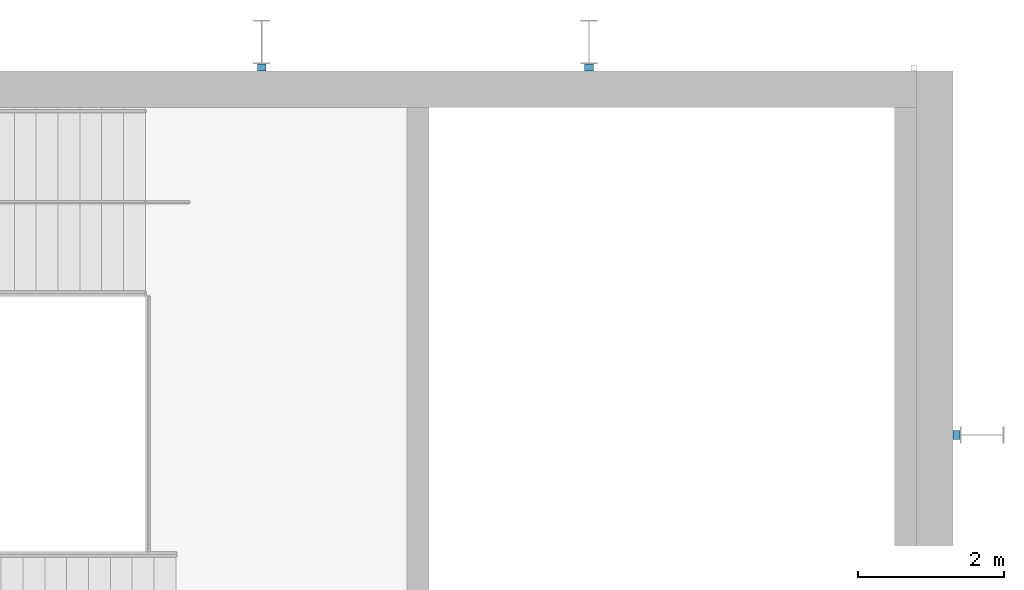
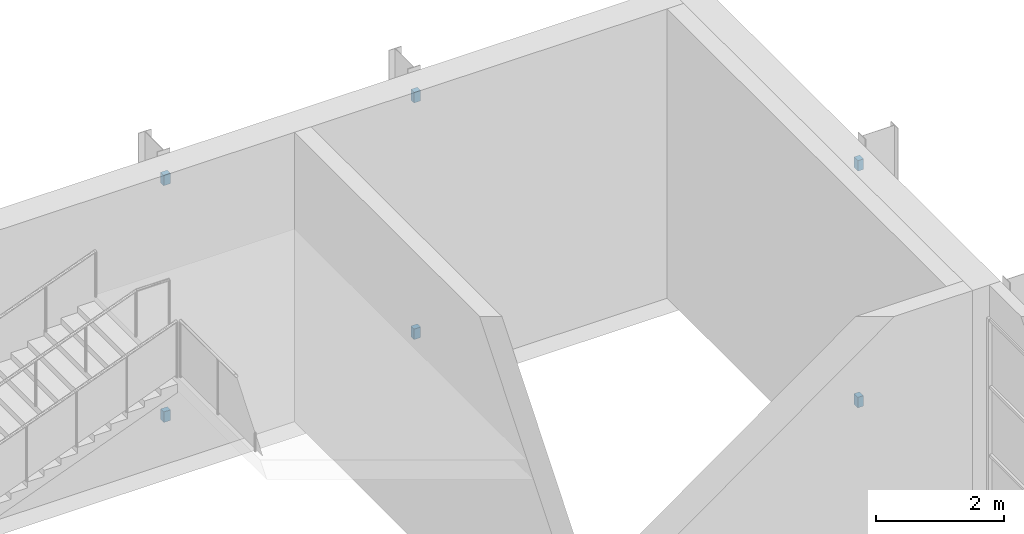
# One storey, part 59 of 84: 6 discrete accessories.
"""IFC4 building model written with IfcOpenShell, lengths in metres."""

from ifc_helpers import new_model, si_unit, direction, frame, origin, origin_2d, place, context, subcontext, project, spatial, rectangle, extrude, material, type_object, element, save


model = new_model("IFC4")

# Units and contexts
model_context = context("Model", 3, precision=1e-05, world=origin(), true_north=direction((0.0, 1.0)))
body_context = subcontext(model_context, "Body", "Model", "MODEL_VIEW")
ifc_project = project(units=[si_unit("LENGTHUNIT", "METRE"), si_unit("AREAUNIT", "SQUARE_METRE"), si_unit("VOLUMEUNIT", "CUBIC_METRE"), si_unit("PLANEANGLEUNIT", "RADIAN"), si_unit("MASSUNIT", "GRAM", prefix="KILO")], contexts=[model_context])

# Site, building, storey
site_placement = place(None, origin())
site = spatial("IfcSite", under=ifc_project, at=site_placement, CompositionType="ELEMENT")
building_placement = place(site_placement, origin())
building = spatial("IfcBuilding", under=site, at=building_placement, Name="Silverbay Arena", CompositionType="ELEMENT")
storey_placement = place(building_placement, frame((0.0, 0.0, 28.0)))
storey = spatial("IfcBuildingStorey", under=building, at=storey_placement, Name="L04", CompositionType="ELEMENT", Elevation=28.0)

# Discrete accessories
ifc_material = material(Name="Steel S355", Category="steel")
discrete_accessory_type = type_object("IfcDiscreteAccessoryType", Name="Steel bracket plate", PredefinedType="BRACKET", material=ifc_material)
for number, where, z_axis, x_axis, name in (
    (1, (207.550048828125, 139.5, 0.39990234375), (0.0, 0.0, 1.0), (1.0, 0.0, 0.0), "Fin bracket"),
    (2, (207.550048828125, 139.5, 4.89990234375), (0.0, 0.0, 1.0), (1.0, 0.0, 0.0), "Fin bracket"),
):
    element("IfcDiscreteAccessory", number, at=place(storey_placement, frame(where, z_axis=z_axis, x_axis=x_axis)), inside=storey, type_object=discrete_accessory_type, Name=name, PredefinedType="BRACKET", context=body_context, shape_type="SweptSolid", body=[
        extrude(rectangle(XDim=0.10009765625, YDim=0.1201171875, at=origin_2d()), origin(), (0.0, 0.0, 1.0), 0.199951171875),
    ])
for number, where, z_axis, x_axis, name in (
    (3, (198.0, 144.550048828125, 0.39990234375), (0.0, 0.0, 1.0), (1.0, 0.0, 0.0), "Fin bracket"),
    (4, (198.0, 144.550048828125, 4.89990234375), (0.0, 0.0, 1.0), (1.0, 0.0, 0.0), "Fin bracket"),
    (5, (202.5, 144.550048828125, 0.39990234375), (0.0, 0.0, 1.0), (1.0, 0.0, 0.0), "Fin bracket"),
    (6, (202.5, 144.550048828125, 4.89990234375), (0.0, 0.0, 1.0), (1.0, 0.0, 0.0), "Fin bracket"),
):
    element("IfcDiscreteAccessory", number, at=place(storey_placement, frame(where, z_axis=z_axis, x_axis=x_axis)), inside=storey, type_object=discrete_accessory_type, Name=name, PredefinedType="BRACKET", context=body_context, shape_type="SweptSolid", body=[
        extrude(rectangle(XDim=0.1201171875, YDim=0.10009765625, at=origin_2d()), origin(), (0.0, 0.0, 1.0), 0.199951171875),
    ])

save(model, "model.ifc")
